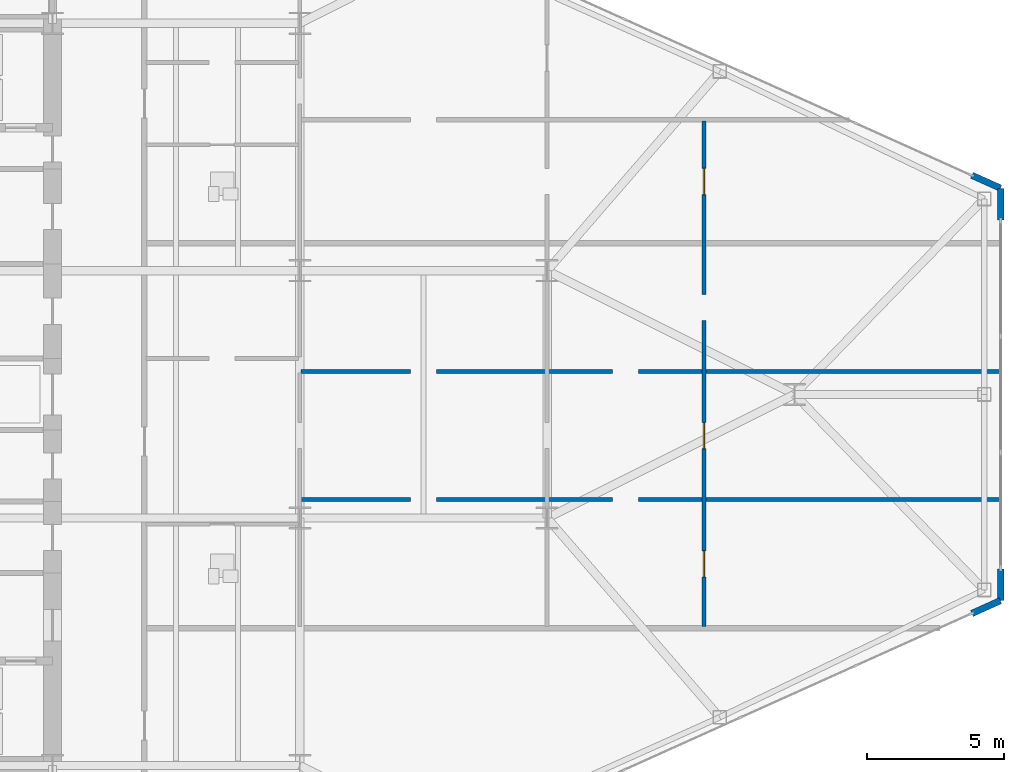
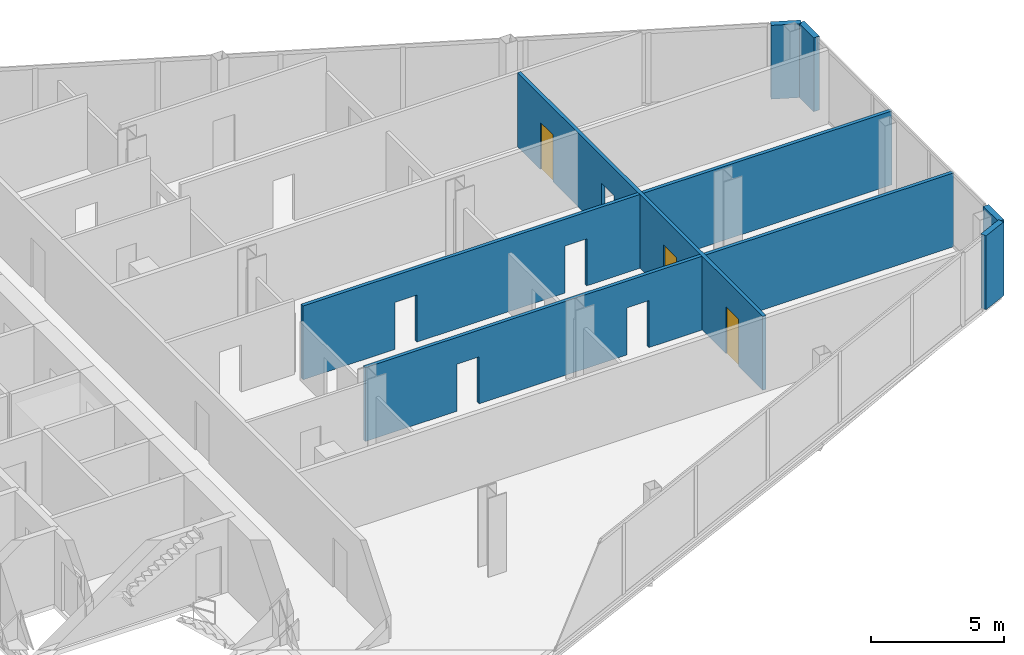
# One storey, part 24 of 27: 7 walls, 3 doors, 8 openings.
"""IFC4 building model written with IfcOpenShell, lengths in metres."""

from ifc_helpers import new_model, si_unit, direction, frame, frame_2d, origin, place, context, subcontext, project, spatial, rectangle, extrude, source, transform, mapped, material, layer, layer_set, type_object, type_shapes, element, fill, save


model = new_model("IFC4")

# Units and contexts
model_context = context("Model", 3, precision=1e-05, world=origin(), true_north=direction((0.0, 1.0)))
body_context = subcontext(model_context, "Body", "Model", "MODEL_VIEW")
ifc_project = project(units=[si_unit("LENGTHUNIT", "METRE"), si_unit("AREAUNIT", "SQUARE_METRE"), si_unit("VOLUMEUNIT", "CUBIC_METRE"), si_unit("PLANEANGLEUNIT", "RADIAN"), si_unit("MASSUNIT", "GRAM", prefix="KILO")], contexts=[model_context])

# Site, building, storey
site_placement = place(None, origin())
site = spatial("IfcSite", under=ifc_project, at=site_placement, CompositionType="ELEMENT")
building_placement = place(site_placement, origin())
building = spatial("IfcBuilding", under=site, at=building_placement, Name="Seokmaru Belvedere", CompositionType="ELEMENT")
storey_placement = place(building_placement, frame((0.0, 0.0, 69.300048828125)))
storey = spatial("IfcBuildingStorey", under=building, at=storey_placement, Name="L18", CompositionType="ELEMENT", Elevation=69.300048828125)

# Wall, openings
ifc_material_1 = material(Name="Fire-Rated Gypsum Shaftwall")
ifc_layer_1 = layer(ifc_material_1, 0.14990234375)
ifc_layer_set_1 = layer_set([ifc_layer_1], Name="Fire-Rated Gypsum Shaftwall")
wall_type_1 = type_object("IfcWallType", Name="Apartment Fire-Acoustic Room Partition 150", PredefinedType="PARTITIONING", material=ifc_layer_set_1)
wall_1_placement = place(storey_placement, frame((45.550048828125, -3.830078125, 0.0), z_axis=(0.0, 0.0, 1.0), x_axis=(1.0, 0.0, 0.0)))
wall_1 = element("IfcWall", 1, at=wall_1_placement, inside=storey, type_object=wall_type_1, Name="L18 Interior Partition 012", PredefinedType="PARTITIONING", context=body_context, shape_type="SweptSolid", body=[
    extrude(rectangle(XDim=25.48486328125, YDim=0.14990234375, at=frame_2d((12.742431640625, 0.0))), origin(), (0.0, 0.0, 1.0), 3.3798828125),
])
opening_1_placement = place(wall_1_placement, frame((3.97509765625, 0.0, 0.0)))
element("IfcOpeningElement", 2, at=opening_1_placement, cuts=wall_1, Name="L18 Cased Opening 039", PredefinedType="OPENING", context=body_context, shape_type="SweptSolid", body=[
    extrude(rectangle(XDim=0.949951171875, YDim=2.14990234375, at=frame_2d((0.47509765625, 1.074951171875))), frame((0.0, 0.0849609375, 0.0), z_axis=(0.0, -1.0, 0.0), x_axis=(1.0, 0.0, 0.0)), (0.0, 0.0, 1.0), 0.169921875),
])
opening_2_placement = place(wall_1_placement, frame((11.324951171875, 0.0, 0.0)))
element("IfcOpeningElement", 3, at=opening_2_placement, cuts=wall_1, Name="L18 Cased Opening 041", PredefinedType="OPENING", context=body_context, shape_type="SweptSolid", body=[
    extrude(rectangle(XDim=0.949951171875, YDim=2.14990234375, at=frame_2d((0.47509765625, 1.074951171875))), frame((0.0, 0.0849609375, 0.0), z_axis=(0.0, -1.0, 0.0), x_axis=(1.0, 0.0, 0.0)), (0.0, 0.0, 1.0), 0.169921875),
])

wall_2_placement = place(storey_placement, frame((45.550048828125, 0.830078125, 0.0), z_axis=(0.0, 0.0, 1.0), x_axis=(1.0, 0.0, 0.0)))
wall_2 = element("IfcWall", 4, at=wall_2_placement, inside=storey, type_object=wall_type_1, Name="L18 Interior Partition 015", PredefinedType="PARTITIONING", context=body_context, shape_type="SweptSolid", body=[
    extrude(rectangle(XDim=25.48486328125, YDim=0.14990234375, at=frame_2d((12.742431640625, 0.0))), origin(), (0.0, 0.0, 1.0), 3.3798828125),
])
opening_3_placement = place(wall_2_placement, frame((3.97509765625, 0.0, 0.0)))
element("IfcOpeningElement", 5, at=opening_3_placement, cuts=wall_2, Name="L18 Cased Opening 040", PredefinedType="OPENING", context=body_context, shape_type="SweptSolid", body=[
    extrude(rectangle(XDim=0.949951171875, YDim=2.14990234375, at=frame_2d((0.47509765625, 1.074951171875))), frame((0.0, 0.0849609375, 0.0), z_axis=(0.0, -1.0, 0.0), x_axis=(1.0, 0.0, 0.0)), (0.0, 0.0, 1.0), 0.169921875),
])
opening_4_placement = place(wall_2_placement, frame((11.324951171875, 0.0, 0.0)))
element("IfcOpeningElement", 6, at=opening_4_placement, cuts=wall_2, Name="L18 Cased Opening 044", PredefinedType="OPENING", context=body_context, shape_type="SweptSolid", body=[
    extrude(rectangle(XDim=0.949951171875, YDim=2.14990234375, at=frame_2d((0.47509765625, 1.074951171875))), frame((0.0, 0.0849609375, 0.0), z_axis=(0.0, -1.0, 0.0), x_axis=(1.0, 0.0, 0.0)), (0.0, 0.0, 1.0), 0.169921875),
])

# Wall, openings, doors
wall_3_placement = place(storey_placement, frame((60.199951171875, -8.449951171875, 0.0), z_axis=(0.0, 0.0, 1.0), x_axis=(0.0, 1.0, 0.0)))
wall_3 = element("IfcWall", 7, at=wall_3_placement, inside=storey, type_object=wall_type_1, Name="L18 Interior Partition 050", PredefinedType="PARTITIONING", context=body_context, shape_type="SweptSolid", body=[
    extrude(rectangle(XDim=18.391845703125, YDim=0.14990234375, at=frame_2d((9.19580078125, 0.0))), origin(), (0.0, 0.0, 1.0), 3.3798828125),
])
opening_5_placement = place(wall_3_placement, frame((1.808349609375, 0.0, 0.0)))
opening_5 = element("IfcOpeningElement", 8, at=opening_5_placement, cuts=wall_3, Name="Opening D05", PredefinedType="OPENING", context=body_context, shape_type="SweptSolid", body=[
    extrude(rectangle(XDim=0.949951171875, YDim=2.14990234375, at=frame_2d((0.47509765625, 1.074951171875))), frame((0.0, 0.0849609375, 0.0), z_axis=(0.0, -1.0, 0.0), x_axis=(1.0, 0.0, 0.0)), (0.0, 0.0, 1.0), 0.169921875),
])
opening_6_placement = place(wall_3_placement, frame((6.47509765625, 0.0, 0.0)))
opening_6 = element("IfcOpeningElement", 9, at=opening_6_placement, cuts=wall_3, Name="Opening D05", PredefinedType="OPENING", context=body_context, shape_type="SweptSolid", body=[
    extrude(rectangle(XDim=0.949951171875, YDim=2.14990234375, at=frame_2d((0.47509765625, 1.074951171875))), frame((0.0, 0.0849609375, 0.0), z_axis=(0.0, -1.0, 0.0), x_axis=(1.0, 0.0, 0.0)), (0.0, 0.0, 1.0), 0.169921875),
])
opening_7_placement = place(wall_3_placement, frame((11.1416015625, 0.0, 0.0)))
element("IfcOpeningElement", 10, at=opening_7_placement, cuts=wall_3, Name="L18 Cased Opening 045", PredefinedType="OPENING", context=body_context, shape_type="SweptSolid", body=[
    extrude(rectangle(XDim=0.949951171875, YDim=2.14990234375, at=frame_2d((0.47509765625, 1.074951171875))), frame((0.0, 0.0849609375, 0.0), z_axis=(0.0, -1.0, 0.0), x_axis=(1.0, 0.0, 0.0)), (0.0, 0.0, 1.0), 0.169921875),
])
opening_8_placement = place(wall_3_placement, frame((15.720947265625, 0.0, 0.0)))
opening_8 = element("IfcOpeningElement", 11, at=opening_8_placement, cuts=wall_3, Name="Opening D05", PredefinedType="OPENING", context=body_context, shape_type="SweptSolid", body=[
    extrude(rectangle(XDim=0.949951171875, YDim=2.14990234375, at=frame_2d((0.47509765625, 1.074951171875))), frame((0.0, 0.0849609375, 0.0), z_axis=(0.0, -1.0, 0.0), x_axis=(1.0, 0.0, 0.0)), (0.0, 0.0, 1.0), 0.169921875),
])
ifc_material_2 = material(Name="Engineered White Oak Timber", Category="wood")
door_type = type_object("IfcDoorType", Name="Apartment Interior Fire-Rated Oak Door 950x2150", OperationType="NOTDEFINED", PredefinedType="DOOR", material=ifc_material_2)
shared_shape = source(origin(), body_context, "Body", "SweptSolid", [
    extrude(rectangle(XDim=0.949951171875, YDim=2.14990234375, at=frame_2d((0.47509765625, 1.074951171875))), frame((0.0, 0.02490234375, 0.0), z_axis=(0.0, -1.0, 0.0), x_axis=(1.0, 0.0, 0.0)), (0.0, 0.0, 1.0), 0.050048828125),
])
type_shapes(door_type, [shared_shape])
door_1_placement = place(opening_5_placement, origin())
door_1 = element("IfcDoor", 12, at=door_1_placement, inside=storey, type_object=door_type, Name="L18 Interior Door 042", OperationType="SINGLE_SWING_LEFT", OverallHeight=2.14990234375, OverallWidth=0.949951171875, PredefinedType="DOOR", context=body_context, shape_type="MappedRepresentation", body=[
    mapped(shared_shape, transform((0.0, 0.0, 0.0), scale=1.0)),
])
fill(opening_5, door_1)
door_2_placement = place(opening_6_placement, origin())
door_2 = element("IfcDoor", 13, at=door_2_placement, inside=storey, type_object=door_type, Name="L18 Interior Door 043", OperationType="SINGLE_SWING_LEFT", OverallHeight=2.14990234375, OverallWidth=0.949951171875, PredefinedType="DOOR", context=body_context, shape_type="MappedRepresentation", body=[
    mapped(shared_shape, transform((0.0, 0.0, 0.0), scale=1.0)),
])
fill(opening_6, door_2)
door_3_placement = place(opening_8_placement, origin())
door_3 = element("IfcDoor", 14, at=door_3_placement, inside=storey, type_object=door_type, Name="L18 Interior Door 054", OperationType="SINGLE_SWING_LEFT", OverallHeight=2.14990234375, OverallWidth=0.949951171875, PredefinedType="DOOR", context=body_context, shape_type="MappedRepresentation", body=[
    mapped(shared_shape, transform((0.0, 0.0, 0.0), scale=1.0)),
])
fill(opening_8, door_3)

# Walls
ifc_material_3 = material(Name="Anodised Bronze Aluminium", Category="aluminium")
ifc_layer_2 = layer(ifc_material_3, 0.239990234375)
ifc_layer_set_2 = layer_set([ifc_layer_2], Name="Anodised Bronze Aluminium")
wall_type_2 = type_object("IfcWallType", Name="Tower Corner Spandrel Closure Wall 240", PredefinedType="SOLIDWALL", material=ifc_layer_set_2)
for number, where, z_axis, x_axis, name in (
    (15, (69.951416015625, -7.971923828125, 0.0), (0.0, 0.0, 1.0), (0.911929519623, 0.410346866979, 0.0), "L18 E Corner Closure Pier 1B"),
    (16, (71.0, -7.489990234375, 0.0), (0.0, 0.0, 1.0), (0.0, 1.0, 0.0), "L18 E Corner Closure Pier 2A"),
    (17, (71.0, 6.35009765625, 0.0), (0.0, 0.0, 1.0), (0.0, 1.0, 0.0), "L18 E Corner Closure Pier 2B"),
    (18, (70.990966796875, 7.504150390625, 0.0), (0.0, 0.0, 1.0), (-0.911929519623, 0.410346866979, 0.0), "L18 E Corner Closure Pier 3A"),
):
    element("IfcWall", number, at=place(storey_placement, frame(where, z_axis=z_axis, x_axis=x_axis)), inside=storey, type_object=wall_type_2, Name=name, PredefinedType="SOLIDWALL", context=body_context, shape_type="SweptSolid", body=[
        extrude(rectangle(XDim=1.139892578125, YDim=0.239990234375, at=frame_2d((0.56982421875, 0.0))), origin(), (0.0, 0.0, 1.0), 3.3798828125),
    ])

save(model, "model.ifc")
